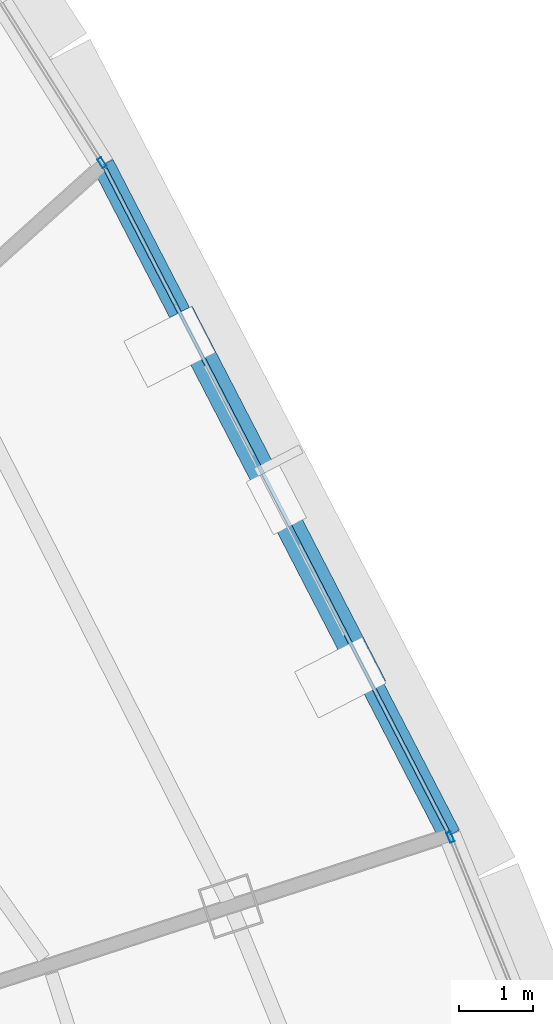
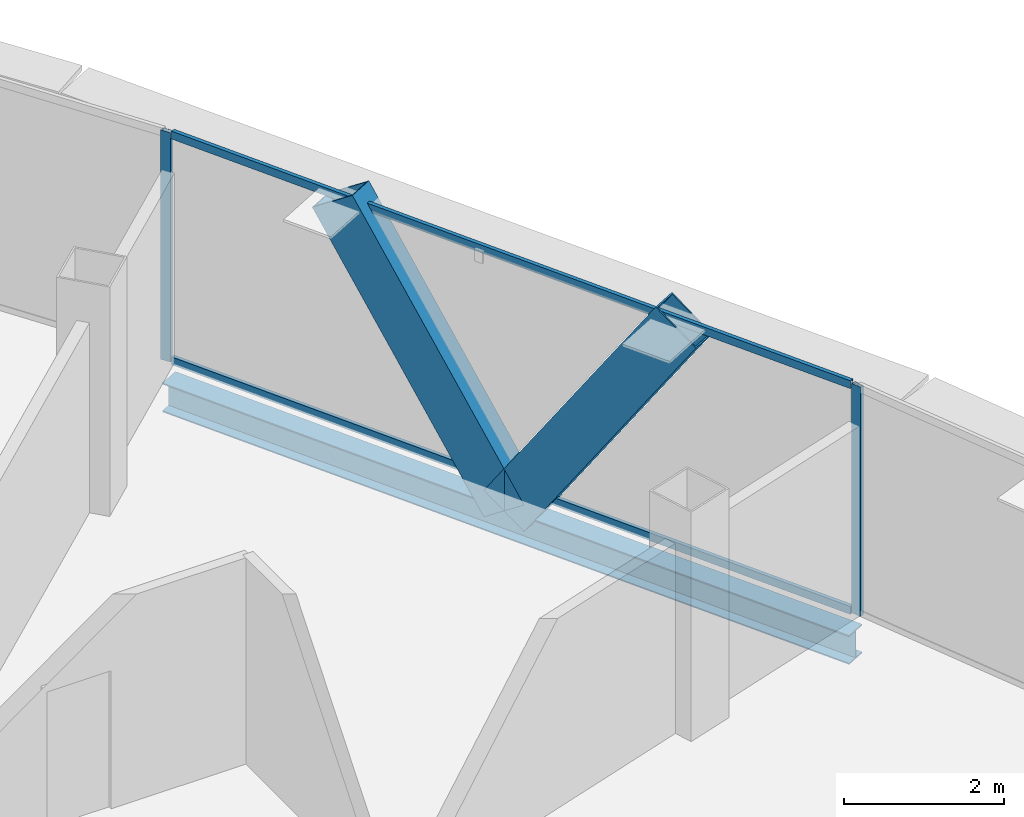
# One storey, part 15 of 27: 6 members, 1 beam, 3 elements without a shape of their own.
"""IFC4 building model written with IfcOpenShell, lengths in metres."""

from ifc_helpers import new_model, si_unit, direction, frame, origin, origin_2d, place, context, subcontext, project, spatial, hollow_rectangle, i_section, extrude, source, transform, mapped, material, layer, layer_set, material_profile, profile_set, type_object, element, aggregate, save


model = new_model("IFC4")

# Units and contexts
model_context = context("Model", 3, precision=1e-05, world=origin(), true_north=direction((0.0, 1.0)))
body_context = subcontext(model_context, "Body", "Model", "MODEL_VIEW")
ifc_project = project(units=[si_unit("LENGTHUNIT", "METRE"), si_unit("AREAUNIT", "SQUARE_METRE"), si_unit("VOLUMEUNIT", "CUBIC_METRE"), si_unit("PLANEANGLEUNIT", "RADIAN"), si_unit("MASSUNIT", "GRAM", prefix="KILO"), si_unit("THERMODYNAMICTEMPERATUREUNIT", "KELVIN"), si_unit("POWERUNIT", "WATT")], contexts=[model_context])

# Site, building, storey
site_placement = place(None, origin())
site = spatial("IfcSite", under=ifc_project, at=site_placement, CompositionType="ELEMENT")
building_placement = place(site_placement, origin())
building = spatial("IfcBuilding", under=site, at=building_placement, Name="Yunzhuo Pagoda Commons", CompositionType="ELEMENT")
storey_placement = place(building_placement, frame((0.0, 0.0, 344.260009765625)))
storey = spatial("IfcBuildingStorey", under=building, at=storey_placement, Name="L86", CompositionType="ELEMENT", Elevation=344.260009765625)

# Beam
ifc_material_1 = material(Name="Structural steel Q355B", Category="steel")
ifc_material_profile_1 = material_profile(ifc_material_1, i_section(OverallWidth=0.300048828125, OverallDepth=0.43994140625, WebThickness=0.010986328125, FlangeThickness=0.01806640625, at=origin_2d()), Name="Structural steel Q355B")
ifc_profile_set_1 = profile_set([ifc_material_profile_1], Name="Structural steel Q355B")
beam_type = type_object("IfcBeamType", Name="B-SP2 Beam HM 440x300x11x18", PredefinedType="BEAM", material=ifc_profile_set_1)
shared_shape_1 = source(origin(), body_context, "Body", "SweptSolid", [
    extrude(i_section(OverallWidth=0.300048828125, OverallDepth=0.43994140625, WebThickness=0.010986328125, FlangeThickness=0.01806640625, at=origin_2d()), origin(), (0.0, 0.0, 1.0), 10.1689453125),
])
beam_placement = place(storey_placement, frame((71.0029296875, 41.174072265625, -0.47998046875), z_axis=(-0.459091744447, 0.888388862031, 0.0), x_axis=(-0.888388862031, -0.459091744447, 0.0)))
element("IfcBeam", 1, at=beam_placement, inside=storey, type_object=beam_type, Name="L86 facade edge spandrel beam F2.2", PredefinedType="BEAM", context=body_context, shape_type="MappedRepresentation", body=[
    mapped(shared_shape_1, transform((0.0, 0.0, 0.0), scale=1.0)),
])

# Members
ifc_material_profile_2 = material_profile(ifc_material_1, hollow_rectangle(XDim=0.3798828125, YDim=0.719970703125, WallThickness=0.02001953125, at=origin_2d()), Name="Structural steel Q355B")
ifc_profile_set_2 = profile_set([ifc_material_profile_2], Name="Structural steel Q355B")
member_type_1 = type_object("IfcMemberType", Name="M-DL3 Brace BOX 720x380x20", PredefinedType="BRACE", material=ifc_profile_set_2)
shared_shape_2 = source(origin(), body_context, "Body", "SweptSolid", [
    extrude(hollow_rectangle(XDim=0.3798828125, YDim=0.719970703125, WallThickness=0.02001953125, at=origin_2d()), origin(), (0.0, 0.0, 1.0), 4.530517578125),
])
for number, where, z_axis, x_axis, name in (
    (2, (68.66845703125, 45.691162109375, -0.260009765625), (0.257636265393, -0.498513509968, 0.827712410886), (0.888374338506, 0.459119847843, 0.0), "L86 facade diamond brace F2.2L"),
    (3, (68.66845703125, 45.691162109375, -0.260009765625), (-0.257585953682, 0.498520430441, 0.82772390137), (-0.88841350482, -0.459044055025, 0.0), "L86 facade diamond brace F2.2R"),
):
    element("IfcMember", number, at=place(storey_placement, frame(where, z_axis=z_axis, x_axis=x_axis)), inside=storey, type_object=member_type_1, Name=name, PredefinedType="BRACE", context=body_context, shape_type="MappedRepresentation", body=[
        mapped(shared_shape_2, transform((0.0, 0.0, 0.0), scale=1.0)),
    ])

# Curtain wall, member
ifc_material_2 = material(Name="Anodized aluminium 6063-T6", Category="aluminium")
ifc_layer = layer(ifc_material_2, 0.139892578125)
ifc_layer_set = layer_set([ifc_layer], Name="Anodized aluminium 6063-T6")
curtain_wall_type = type_object("IfcCurtainWallType", Name="CW-HI High-Zone Ribbon Curtain Wall", PredefinedType="NOTDEFINED", material=ifc_layer_set)
curtain_wall_1_placement = place(storey_placement, origin())
curtain_wall_1 = element("IfcCurtainWall", 4, at=curtain_wall_1_placement, inside=storey, type_object=curtain_wall_type, Name="L86 curtain wall CW-L86-F2B2", PredefinedType="NOTDEFINED")
ifc_material_profile_3 = material_profile(ifc_material_2, hollow_rectangle(XDim=0.06005859375, YDim=0.139892578125, WallThickness=0.00341796875, at=origin_2d()), Name="Anodized aluminium 6063-T6")
ifc_profile_set_3 = profile_set([ifc_material_profile_3], Name="Anodized aluminium 6063-T6")
member_type_2 = type_object("IfcMemberType", Name="CW-HI-M Mullion RHS 140x60x3.5", PredefinedType="MULLION", material=ifc_profile_set_3)
shared_shape_3 = source(origin(), body_context, "Body", "SweptSolid", [
    extrude(hollow_rectangle(XDim=0.06005859375, YDim=0.139892578125, WallThickness=0.00341796875, at=origin_2d()), origin(), (0.0, 0.0, 1.0), 3.489990234375),
])
member_1_placement = place(storey_placement, frame((71.01416015625, 41.146240234375, 0.0), z_axis=(0.0, 0.0, 1.0), x_axis=(-0.925729863061, -0.37818543155, 0.0)))
member_1 = element("IfcMember", 5, at=member_1_placement, type_object=member_type_2, Name="CW mullion 2", PredefinedType="MULLION", context=body_context, shape_type="MappedRepresentation", body=[
    mapped(shared_shape_3, transform((0.0, 0.0, 0.0), scale=1.0)),
])
aggregate(curtain_wall_1, [member_1])

curtain_wall_2_placement = place(storey_placement, origin())
curtain_wall_2 = element("IfcCurtainWall", 6, at=curtain_wall_2_placement, inside=storey, type_object=curtain_wall_type, Name="L86 curtain wall CW-L86-F2B4", PredefinedType="NOTDEFINED")
member_2_placement = place(storey_placement, frame((66.318115234375, 50.2333984375, 0.0), z_axis=(0.0, 0.0, 1.0), x_axis=(-0.845817518552, -0.533472328532, 0.0)))
member_2 = element("IfcMember", 7, at=member_2_placement, type_object=member_type_2, Name="CW mullion 1", PredefinedType="MULLION", context=body_context, shape_type="MappedRepresentation", body=[
    mapped(shared_shape_3, transform((0.0, 0.0, 0.0), scale=1.0)),
])
aggregate(curtain_wall_2, [member_2])

# Curtain wall, members
curtain_wall_3_placement = place(storey_placement, origin())
curtain_wall_3 = element("IfcCurtainWall", 8, at=curtain_wall_3_placement, inside=storey, type_object=curtain_wall_type, Name="L86 curtain wall CW-L86-F2B3", PredefinedType="NOTDEFINED")
ifc_material_profile_4 = material_profile(ifc_material_2, hollow_rectangle(XDim=0.054931640625, YDim=0.1201171875, WallThickness=0.00341796875, at=origin_2d()), Name="Anodized aluminium 6063-T6")
ifc_profile_set_4 = profile_set([ifc_material_profile_4], Name="Anodized aluminium 6063-T6")
member_type_3 = type_object("IfcMemberType", Name="CW-HI-T Transom RHS 120x55x3.5", PredefinedType="USERDEFINED", material=ifc_profile_set_4)
shared_shape_4 = source(origin(), body_context, "Body", "SweptSolid", [
    extrude(hollow_rectangle(XDim=0.054931640625, YDim=0.1201171875, WallThickness=0.00341796875, at=origin_2d()), origin(), (0.0, 0.0, 1.0), 10.049072265625),
])
member_3_placement = place(storey_placement, frame((70.975341796875, 41.227294921875, 0.027587890625), z_axis=(-0.459097712328, 0.88838577799, 0.0), x_axis=(-0.88838577799, -0.459097712328, 0.0)))
member_3 = element("IfcMember", 9, at=member_3_placement, type_object=member_type_3, Name="CW transom 1.1", ObjectType="TRANSOM", PredefinedType="USERDEFINED", context=body_context, shape_type="MappedRepresentation", body=[
    mapped(shared_shape_4, transform((0.0, 0.0, 0.0), scale=1.0)),
])
member_4_placement = place(storey_placement, frame((70.975341796875, 41.227294921875, 3.46240234375), z_axis=(-0.459097712328, 0.88838577799, 0.0), x_axis=(-0.88838577799, -0.459097712328, 0.0)))
member_4 = element("IfcMember", 10, at=member_4_placement, type_object=member_type_3, Name="CW transom 1.2", ObjectType="TRANSOM", PredefinedType="USERDEFINED", context=body_context, shape_type="MappedRepresentation", body=[
    mapped(shared_shape_4, transform((0.0, 0.0, 0.0), scale=1.0)),
])
aggregate(curtain_wall_3, [member_3, member_4])

save(model, "model.ifc")
